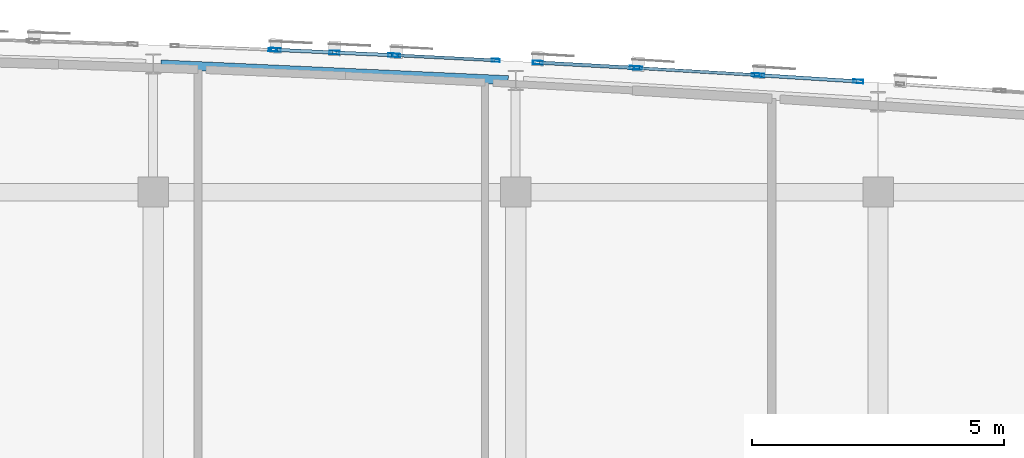
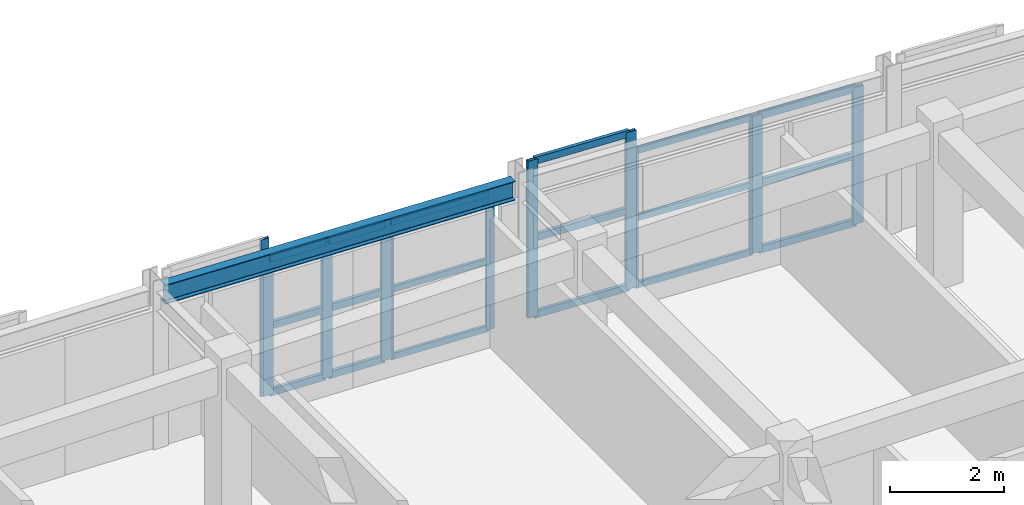
# One storey, part 21 of 51: 30 members, 1 beam, 6 elements without a shape of their own.
"""IFC4 building model written with IfcOpenShell, lengths in metres."""

from ifc_helpers import new_model, si_unit, direction, frame, origin, origin_2d, place, context, subcontext, project, spatial, hollow_rectangle, i_section, extrude, material, layer, layer_set, material_profile, profile_set, type_object, element, aggregate, save


model = new_model("IFC4")

# Units and contexts
model_context = context("Model", 3, precision=1e-05, world=origin(), true_north=direction((0.0, 1.0)))
body_context = subcontext(model_context, "Body", "Model", "MODEL_VIEW")
ifc_project = project(units=[si_unit("LENGTHUNIT", "METRE"), si_unit("AREAUNIT", "SQUARE_METRE"), si_unit("VOLUMEUNIT", "CUBIC_METRE"), si_unit("PLANEANGLEUNIT", "RADIAN"), si_unit("MASSUNIT", "GRAM", prefix="KILO")], contexts=[model_context])

# Site, building, storey
site_placement = place(None, origin())
site = spatial("IfcSite", under=ifc_project, at=site_placement, CompositionType="ELEMENT")
building_placement = place(site_placement, origin())
building = spatial("IfcBuilding", under=site, at=building_placement, Name="Carrowvane Square Congress Hotel", CompositionType="ELEMENT")
storey_placement = place(building_placement, frame((0.0, 0.0, 30.0)))
storey = spatial("IfcBuildingStorey", under=building, at=storey_placement, Name="L07", CompositionType="ELEMENT", Elevation=30.0)

# Beam
ifc_material_1 = material(Name="Steel S355", Category="steel")
ifc_material_profile_1 = material_profile(ifc_material_1, i_section(OverallWidth=0.1787109375, OverallDepth=0.409423828125, WebThickness=0.0087890625, FlangeThickness=0.014404296875, FilletRadius=0.01025390625, at=origin_2d()), Name="UKB 406x178x67")
ifc_profile_set_1 = profile_set([ifc_material_profile_1], Name="Steel S355")
beam_type = type_object("IfcBeamType", Name="BM-ST-UKB406", PredefinedType="BEAM", material=ifc_profile_set_1)
beam_placement = place(storey_placement, frame((112.5498046875, 115.937255859375, 3.1552734375), z_axis=(0.998974507316, -0.045276193882, 0.0), x_axis=(0.045276193882, 0.998974507316, 0.0)))
element("IfcBeam", 1, at=beam_placement, inside=storey, type_object=beam_type, Name="L08 curved north spandrel", PredefinedType="BEAM", context=body_context, shape_type="SweptSolid", body=[
    extrude(i_section(OverallWidth=0.1787109375, OverallDepth=0.409423828125, WebThickness=0.0087890625, FlangeThickness=0.014404296875, FilletRadius=0.01025390625, at=origin_2d()), origin(), (0.0, 0.0, 1.0), 6.907470703125),
])

# Curtain wall, member
ifc_material_2 = material(Name="Anodised aluminium", Category="aluminium")
ifc_layer_1 = layer(ifc_material_2, 0.23388671875)
ifc_layer_set_1 = layer_set([ifc_layer_1], Name="Anodised aluminium")
curtain_wall_type_1 = type_object("IfcCurtainWallType", Name="CW-SYS-7", PredefinedType="NOTDEFINED", material=ifc_layer_set_1)
curtain_wall_1_placement = place(storey_placement, origin())
curtain_wall_1 = element("IfcCurtainWall", 2, at=curtain_wall_1_placement, inside=storey, type_object=curtain_wall_type_1, Name="L07 unitised curtain wall 438", PredefinedType="NOTDEFINED")
ifc_material_3 = material(Name="Anodised aluminium", Category="aluminium")
ifc_material_profile_2 = material_profile(ifc_material_3, hollow_rectangle(XDim=0.06005859375, YDim=0.159912109375, WallThickness=0.00390625, at=origin_2d()), Name="CW-ML 60x160x4")
ifc_profile_set_2 = profile_set([ifc_material_profile_2], Name="Anodised aluminium")
member_type_1 = type_object("IfcMemberType", Name="CW-MUL-1", PredefinedType="MULLION", material=ifc_profile_set_2)
member_1_placement = place(storey_placement, frame((114.77001953125, 116.228759765625, 0.0), z_axis=(0.0, 0.0, 1.0), x_axis=(0.040130957403, 0.999194428656, 0.0)))
member_1 = element("IfcMember", 3, at=member_1_placement, type_object=member_type_1, Name="CW-7 mullion 2", PredefinedType="MULLION", context=body_context, shape_type="SweptSolid", body=[
    extrude(hollow_rectangle(XDim=0.06005859375, YDim=0.159912109375, WallThickness=0.00390625, at=origin_2d()), origin(), (0.0, 0.0, 1.0), 3.360107421875),
])
aggregate(curtain_wall_1, [member_1])

# Curtain wall, members
ifc_material_4 = material(Name="Anodised aluminium", Category="aluminium")
ifc_layer_2 = layer(ifc_material_4, 0.162109375)
ifc_layer_set_2 = layer_set([ifc_layer_2], Name="Anodised aluminium")
curtain_wall_type_2 = type_object("IfcCurtainWallType", Name="CW-SYS-1", PredefinedType="NOTDEFINED", material=ifc_layer_set_2)
curtain_wall_2_placement = place(storey_placement, origin())
curtain_wall_2 = element("IfcCurtainWall", 4, at=curtain_wall_2_placement, inside=storey, type_object=curtain_wall_type_2, Name="L07 unitised curtain wall 440", PredefinedType="NOTDEFINED")
member_2_placement = place(storey_placement, frame((117.22998046875, 116.116943359375, 0.0), z_axis=(0.0, 0.0, 1.0), x_axis=(0.050323791596, 0.998732955299, 0.0)))
member_2 = element("IfcMember", 5, at=member_2_placement, type_object=member_type_1, Name="CW-1 mullion 1", PredefinedType="MULLION", context=body_context, shape_type="SweptSolid", body=[
    extrude(hollow_rectangle(XDim=0.06005859375, YDim=0.159912109375, WallThickness=0.00390625, at=origin_2d()), origin(), (0.0, 0.0, 1.0), 2.935546875),
])
member_3_placement = place(storey_placement, frame((119.20556640625, 116.017578125, 0.0), z_axis=(0.0, 0.0, 1.0), x_axis=(0.050323791596, 0.998732955299, 0.0)))
member_3 = element("IfcMember", 6, at=member_3_placement, type_object=member_type_1, Name="CW-1 mullion 2", PredefinedType="MULLION", context=body_context, shape_type="SweptSolid", body=[
    extrude(hollow_rectangle(XDim=0.06005859375, YDim=0.159912109375, WallThickness=0.00390625, at=origin_2d()), origin(), (0.0, 0.0, 1.0), 2.935546875),
])

ifc_material_5 = material(Name="Anodised aluminium", Category="aluminium")
ifc_layer_3 = layer(ifc_material_5, 0.18603515625)
ifc_layer_set_3 = layer_set([ifc_layer_3], Name="Anodised aluminium")
curtain_wall_type_3 = type_object("IfcCurtainWallType", Name="CW-SYS-3", PredefinedType="NOTDEFINED", material=ifc_layer_set_3)
curtain_wall_3_placement = place(storey_placement, origin())
curtain_wall_3 = element("IfcCurtainWall", 7, at=curtain_wall_3_placement, inside=storey, type_object=curtain_wall_type_3, Name="L07 unitised curtain wall 442", PredefinedType="NOTDEFINED")
member_4_placement = place(storey_placement, frame((122.030029296875, 115.864013671875, 0.0), z_axis=(0.0, 0.0, 1.0), x_axis=(0.058851249486, 0.998266763162, 0.0)))
member_4 = element("IfcMember", 8, at=member_4_placement, type_object=member_type_1, Name="CW-3 mullion 1", PredefinedType="MULLION", context=body_context, shape_type="SweptSolid", body=[
    extrude(hollow_rectangle(XDim=0.06005859375, YDim=0.159912109375, WallThickness=0.00390625, at=origin_2d()), origin(), (0.0, 0.0, 1.0), 2.935546875),
])
member_5_placement = place(storey_placement, frame((124.3701171875, 115.72607421875, 0.0), z_axis=(0.0, 0.0, 1.0), x_axis=(0.058851249486, 0.998266763162, 0.0)))
member_5 = element("IfcMember", 9, at=member_5_placement, type_object=member_type_1, Name="CW-3 mullion 2", PredefinedType="MULLION", context=body_context, shape_type="SweptSolid", body=[
    extrude(hollow_rectangle(XDim=0.06005859375, YDim=0.159912109375, WallThickness=0.00390625, at=origin_2d()), origin(), (0.0, 0.0, 1.0), 2.935546875),
])

ifc_material_6 = material(Name="Anodised aluminium", Category="aluminium")
ifc_layer_4 = layer(ifc_material_6, 0.24609375)
ifc_layer_set_4 = layer_set([ifc_layer_4], Name="Anodised aluminium")
curtain_wall_type_4 = type_object("IfcCurtainWallType", Name="CW-SYS-8", PredefinedType="NOTDEFINED", material=ifc_layer_set_4)
curtain_wall_4_placement = place(storey_placement, origin())
curtain_wall_4 = element("IfcCurtainWall", 10, at=curtain_wall_4_placement, inside=storey, type_object=curtain_wall_type_4, Name="L07 unitised curtain wall 439", PredefinedType="NOTDEFINED")
ifc_material_7 = material(Name="Anodised aluminium", Category="aluminium")
ifc_material_profile_3 = material_profile(ifc_material_7, hollow_rectangle(XDim=0.070068359375, YDim=0.199951171875, WallThickness=0.0048828125, at=origin_2d()), Name="CW-ML 70x200x5")
ifc_profile_set_3 = profile_set([ifc_material_profile_3], Name="Anodised aluminium")
member_type_2 = type_object("IfcMemberType", Name="CW-MUL-2", PredefinedType="MULLION", material=ifc_profile_set_3)
member_6_placement = place(storey_placement, frame((114.8349609375, 116.22607421875, 0.0), z_axis=(0.0, 0.0, 1.0), x_axis=(0.045411059449, 0.998968385726, 0.0)))
member_6 = element("IfcMember", 11, at=member_6_placement, type_object=member_type_2, Name="CW-8 mullion 1", PredefinedType="MULLION", context=body_context, shape_type="SweptSolid", body=[
    extrude(hollow_rectangle(XDim=0.070068359375, YDim=0.199951171875, WallThickness=0.0048828125, at=origin_2d()), origin(), (0.0, 0.0, 1.0), 2.935546875),
])
member_7_placement = place(storey_placement, frame((116.0, 116.173095703125, 0.0), z_axis=(0.0, 0.0, 1.0), x_axis=(0.045411059449, 0.998968385726, 0.0)))
member_7 = element("IfcMember", 12, at=member_7_placement, type_object=member_type_2, Name="CW-8 mullion 2", PredefinedType="MULLION", context=body_context, shape_type="SweptSolid", body=[
    extrude(hollow_rectangle(XDim=0.070068359375, YDim=0.199951171875, WallThickness=0.0048828125, at=origin_2d()), origin(), (0.0, 0.0, 1.0), 2.935546875),
])
member_8_placement = place(storey_placement, frame((117.1650390625, 116.1201171875, 0.0), z_axis=(0.0, 0.0, 1.0), x_axis=(0.045411059449, 0.998968385726, 0.0)))
member_8 = element("IfcMember", 13, at=member_8_placement, type_object=member_type_2, Name="CW-8 mullion 3", PredefinedType="MULLION", context=body_context, shape_type="SweptSolid", body=[
    extrude(hollow_rectangle(XDim=0.070068359375, YDim=0.199951171875, WallThickness=0.0048828125, at=origin_2d()), origin(), (0.0, 0.0, 1.0), 2.935546875),
])

ifc_material_8 = material(Name="Anodised aluminium", Category="aluminium")
ifc_layer_5 = layer(ifc_material_8, 0.174072265625)
ifc_layer_set_5 = layer_set([ifc_layer_5], Name="Anodised aluminium")
curtain_wall_type_5 = type_object("IfcCurtainWallType", Name="CW-SYS-2", PredefinedType="NOTDEFINED", material=ifc_layer_set_5)
curtain_wall_5_placement = place(storey_placement, origin())
curtain_wall_5 = element("IfcCurtainWall", 14, at=curtain_wall_5_placement, inside=storey, type_object=curtain_wall_type_5, Name="L07 unitised curtain wall 441", PredefinedType="NOTDEFINED")
member_9_placement = place(storey_placement, frame((120.03955078125, 115.973388671875, 0.0), z_axis=(0.0, 0.0, 1.0), x_axis=(0.054815980317, 0.998496473856, 0.0)))
member_9 = element("IfcMember", 15, at=member_9_placement, type_object=member_type_2, Name="CW-2 mullion 1", PredefinedType="MULLION", context=body_context, shape_type="SweptSolid", body=[
    extrude(hollow_rectangle(XDim=0.070068359375, YDim=0.199951171875, WallThickness=0.0048828125, at=origin_2d()), origin(), (0.0, 0.0, 1.0), 3.360107421875),
])
member_10_placement = place(storey_placement, frame((121.965087890625, 115.86767578125, 0.0), z_axis=(0.0, 0.0, 1.0), x_axis=(0.054815980317, 0.998496473856, 0.0)))
member_10 = element("IfcMember", 16, at=member_10_placement, type_object=member_type_2, Name="CW-2 mullion 2", PredefinedType="MULLION", context=body_context, shape_type="SweptSolid", body=[
    extrude(hollow_rectangle(XDim=0.070068359375, YDim=0.199951171875, WallThickness=0.0048828125, at=origin_2d()), origin(), (0.0, 0.0, 1.0), 3.360107421875),
])

ifc_material_9 = material(Name="Anodised aluminium", Category="aluminium")
ifc_layer_6 = layer(ifc_material_9, 0.197998046875)
ifc_layer_set_6 = layer_set([ifc_layer_6], Name="Anodised aluminium")
curtain_wall_type_6 = type_object("IfcCurtainWallType", Name="CW-SYS-4", PredefinedType="NOTDEFINED", material=ifc_layer_set_6)
curtain_wall_6_placement = place(storey_placement, origin())
curtain_wall_6 = element("IfcCurtainWall", 17, at=curtain_wall_6_placement, inside=storey, type_object=curtain_wall_type_6, Name="L07 unitised curtain wall 443", PredefinedType="NOTDEFINED")
member_11_placement = place(storey_placement, frame((124.434814453125, 115.72216796875, 0.0), z_axis=(0.0, 0.0, 1.0), x_axis=(0.062397170272, 0.998051398046, 0.0)))
member_11 = element("IfcMember", 18, at=member_11_placement, type_object=member_type_2, Name="CW-4 mullion 1", PredefinedType="MULLION", context=body_context, shape_type="SweptSolid", body=[
    extrude(hollow_rectangle(XDim=0.070068359375, YDim=0.199951171875, WallThickness=0.0048828125, at=origin_2d()), origin(), (0.0, 0.0, 1.0), 2.935546875),
])
member_12_placement = place(storey_placement, frame((126.405029296875, 115.598876953125, 0.0), z_axis=(0.0, 0.0, 1.0), x_axis=(0.062397170272, 0.998051398046, 0.0)))
member_12 = element("IfcMember", 19, at=member_12_placement, type_object=member_type_2, Name="CW-4 mullion 2", PredefinedType="MULLION", context=body_context, shape_type="SweptSolid", body=[
    extrude(hollow_rectangle(XDim=0.070068359375, YDim=0.199951171875, WallThickness=0.0048828125, at=origin_2d()), origin(), (0.0, 0.0, 1.0), 2.935546875),
])

# Member
ifc_material_10 = material(Name="Anodised aluminium", Category="aluminium")
ifc_material_profile_4 = material_profile(ifc_material_10, hollow_rectangle(XDim=0.06005859375, YDim=0.1298828125, WallThickness=0.00390625, at=origin_2d()), Name="CW-TR 60x130x4")
ifc_profile_set_4 = profile_set([ifc_material_profile_4], Name="Anodised aluminium")
member_type_3 = type_object("IfcMemberType", Name="CW-TRN-1", PredefinedType="USERDEFINED", material=ifc_profile_set_4)
member_13_placement = place(storey_placement, frame((117.260009765625, 116.115478515625, 0.030029296875), z_axis=(0.998735138435, -0.050280446047, 0.0), x_axis=(0.050280446047, 0.998735138435, 0.0)))
member_13 = element("IfcMember", 20, at=member_13_placement, type_object=member_type_3, Name="CW-1 transom 1.1", ObjectType="TRANSOM", PredefinedType="USERDEFINED", context=body_context, shape_type="SweptSolid", body=[
    extrude(hollow_rectangle(XDim=0.06005859375, YDim=0.1298828125, WallThickness=0.00390625, at=origin_2d()), origin(), (0.0, 0.0, 1.0), 1.91796875),
])

member_14_placement = place(storey_placement, frame((117.260009765625, 116.115478515625, 1.4677734375), z_axis=(0.998735138435, -0.050280446047, 0.0), x_axis=(0.050280446047, 0.998735138435, 0.0)))
member_14 = element("IfcMember", 21, at=member_14_placement, type_object=member_type_3, Name="CW-1 transom 1.2", ObjectType="TRANSOM", PredefinedType="USERDEFINED", context=body_context, shape_type="SweptSolid", body=[
    extrude(hollow_rectangle(XDim=0.06005859375, YDim=0.1298828125, WallThickness=0.00390625, at=origin_2d()), origin(), (0.0, 0.0, 1.0), 1.91796875),
])

member_15_placement = place(storey_placement, frame((117.260009765625, 116.115478515625, 2.905517578125), z_axis=(0.998735138435, -0.050280446047, 0.0), x_axis=(0.050280446047, 0.998735138435, 0.0)))
member_15 = element("IfcMember", 22, at=member_15_placement, type_object=member_type_3, Name="CW-1 transom 1.3", ObjectType="TRANSOM", PredefinedType="USERDEFINED", context=body_context, shape_type="SweptSolid", body=[
    extrude(hollow_rectangle(XDim=0.06005859375, YDim=0.1298828125, WallThickness=0.00390625, at=origin_2d()), origin(), (0.0, 0.0, 1.0), 1.91796875),
])

aggregate(curtain_wall_2, [member_2, member_3, member_13, member_14, member_15])

member_16_placement = place(storey_placement, frame((122.059814453125, 115.8623046875, 0.030029296875), z_axis=(0.998264407893, -0.058891187232, 0.0), x_axis=(0.058891187232, 0.998264407893, 0.0)))
member_16 = element("IfcMember", 23, at=member_16_placement, type_object=member_type_3, Name="CW-3 transom 1.1", ObjectType="TRANSOM", PredefinedType="USERDEFINED", context=body_context, shape_type="SweptSolid", body=[
    extrude(hollow_rectangle(XDim=0.06005859375, YDim=0.1298828125, WallThickness=0.00390625, at=origin_2d()), origin(), (0.0, 0.0, 1.0), 2.2841796875),
])

member_17_placement = place(storey_placement, frame((122.059814453125, 115.8623046875, 1.4677734375), z_axis=(0.998264407893, -0.058891187232, 0.0), x_axis=(0.058891187232, 0.998264407893, 0.0)))
member_17 = element("IfcMember", 24, at=member_17_placement, type_object=member_type_3, Name="CW-3 transom 1.2", ObjectType="TRANSOM", PredefinedType="USERDEFINED", context=body_context, shape_type="SweptSolid", body=[
    extrude(hollow_rectangle(XDim=0.06005859375, YDim=0.1298828125, WallThickness=0.00390625, at=origin_2d()), origin(), (0.0, 0.0, 1.0), 2.2841796875),
])

member_18_placement = place(storey_placement, frame((122.059814453125, 115.8623046875, 2.905517578125), z_axis=(0.998264407893, -0.058891187232, 0.0), x_axis=(0.058891187232, 0.998264407893, 0.0)))
member_18 = element("IfcMember", 25, at=member_18_placement, type_object=member_type_3, Name="CW-3 transom 1.3", ObjectType="TRANSOM", PredefinedType="USERDEFINED", context=body_context, shape_type="SweptSolid", body=[
    extrude(hollow_rectangle(XDim=0.06005859375, YDim=0.1298828125, WallThickness=0.00390625, at=origin_2d()), origin(), (0.0, 0.0, 1.0), 2.2841796875),
])

aggregate(curtain_wall_3, [member_4, member_5, member_16, member_17, member_18])

ifc_material_11 = material(Name="Anodised aluminium", Category="aluminium")
ifc_material_profile_5 = material_profile(ifc_material_11, hollow_rectangle(XDim=0.070068359375, YDim=0.14990234375, WallThickness=0.0048828125, at=origin_2d()), Name="CW-TR 70x150x5")
ifc_profile_set_5 = profile_set([ifc_material_profile_5], Name="Anodised aluminium")
member_type_4 = type_object("IfcMemberType", Name="CW-TRN-2", PredefinedType="USERDEFINED", material=ifc_profile_set_5)
member_19_placement = place(storey_placement, frame((114.869873046875, 116.224365234375, 0.034912109375), z_axis=(0.998967621715, -0.045427863315, 0.0), x_axis=(0.045427863315, 0.998967621715, 0.0)))
member_19 = element("IfcMember", 26, at=member_19_placement, type_object=member_type_4, Name="CW-8 transom 1.1", ObjectType="TRANSOM", PredefinedType="USERDEFINED", context=body_context, shape_type="SweptSolid", body=[
    extrude(hollow_rectangle(XDim=0.070068359375, YDim=0.14990234375, WallThickness=0.0048828125, at=origin_2d()), origin(), (0.0, 0.0, 1.0), 1.096435546875),
])

member_20_placement = place(storey_placement, frame((114.869873046875, 116.224365234375, 1.4677734375), z_axis=(0.998967621715, -0.045427863315, 0.0), x_axis=(0.045427863315, 0.998967621715, 0.0)))
member_20 = element("IfcMember", 27, at=member_20_placement, type_object=member_type_4, Name="CW-8 transom 1.2", ObjectType="TRANSOM", PredefinedType="USERDEFINED", context=body_context, shape_type="SweptSolid", body=[
    extrude(hollow_rectangle(XDim=0.070068359375, YDim=0.14990234375, WallThickness=0.0048828125, at=origin_2d()), origin(), (0.0, 0.0, 1.0), 1.096435546875),
])

member_21_placement = place(storey_placement, frame((114.869873046875, 116.224365234375, 2.900634765625), z_axis=(0.998967621715, -0.045427863315, 0.0), x_axis=(0.045427863315, 0.998967621715, 0.0)))
member_21 = element("IfcMember", 28, at=member_21_placement, type_object=member_type_4, Name="CW-8 transom 1.3", ObjectType="TRANSOM", PredefinedType="USERDEFINED", context=body_context, shape_type="SweptSolid", body=[
    extrude(hollow_rectangle(XDim=0.070068359375, YDim=0.14990234375, WallThickness=0.0048828125, at=origin_2d()), origin(), (0.0, 0.0, 1.0), 1.096435546875),
])

member_22_placement = place(storey_placement, frame((116.034912109375, 116.17138671875, 0.034912109375), z_axis=(0.998967621715, -0.045427863315, 0.0), x_axis=(0.045427863315, 0.998967621715, 0.0)))
member_22 = element("IfcMember", 29, at=member_22_placement, type_object=member_type_4, Name="CW-8 transom 2.1", ObjectType="TRANSOM", PredefinedType="USERDEFINED", context=body_context, shape_type="SweptSolid", body=[
    extrude(hollow_rectangle(XDim=0.070068359375, YDim=0.14990234375, WallThickness=0.0048828125, at=origin_2d()), origin(), (0.0, 0.0, 1.0), 1.096435546875),
])

member_23_placement = place(storey_placement, frame((116.034912109375, 116.17138671875, 1.4677734375), z_axis=(0.998967621715, -0.045427863315, 0.0), x_axis=(0.045427863315, 0.998967621715, 0.0)))
member_23 = element("IfcMember", 30, at=member_23_placement, type_object=member_type_4, Name="CW-8 transom 2.2", ObjectType="TRANSOM", PredefinedType="USERDEFINED", context=body_context, shape_type="SweptSolid", body=[
    extrude(hollow_rectangle(XDim=0.070068359375, YDim=0.14990234375, WallThickness=0.0048828125, at=origin_2d()), origin(), (0.0, 0.0, 1.0), 1.096435546875),
])

member_24_placement = place(storey_placement, frame((116.034912109375, 116.17138671875, 2.900634765625), z_axis=(0.998967621715, -0.045427863315, 0.0), x_axis=(0.045427863315, 0.998967621715, 0.0)))
member_24 = element("IfcMember", 31, at=member_24_placement, type_object=member_type_4, Name="CW-8 transom 2.3", ObjectType="TRANSOM", PredefinedType="USERDEFINED", context=body_context, shape_type="SweptSolid", body=[
    extrude(hollow_rectangle(XDim=0.070068359375, YDim=0.14990234375, WallThickness=0.0048828125, at=origin_2d()), origin(), (0.0, 0.0, 1.0), 1.096435546875),
])

aggregate(curtain_wall_4, [member_6, member_7, member_8, member_19, member_20, member_21, member_22, member_23, member_24])

member_25_placement = place(storey_placement, frame((120.074462890625, 115.971435546875, 0.034912109375), z_axis=(0.998498512711, -0.054778829075, 0.0), x_axis=(0.054778829075, 0.998498512711, 0.0)))
member_25 = element("IfcMember", 32, at=member_25_placement, type_object=member_type_4, Name="CW-2 transom 1.1", ObjectType="TRANSOM", PredefinedType="USERDEFINED", context=body_context, shape_type="SweptSolid", body=[
    extrude(hollow_rectangle(XDim=0.070068359375, YDim=0.14990234375, WallThickness=0.0048828125, at=origin_2d()), origin(), (0.0, 0.0, 1.0), 1.8583984375),
])

member_26_placement = place(storey_placement, frame((120.074462890625, 115.971435546875, 1.679931640625), z_axis=(0.998498512711, -0.054778829075, 0.0), x_axis=(0.054778829075, 0.998498512711, 0.0)))
member_26 = element("IfcMember", 33, at=member_26_placement, type_object=member_type_4, Name="CW-2 transom 1.2", ObjectType="TRANSOM", PredefinedType="USERDEFINED", context=body_context, shape_type="SweptSolid", body=[
    extrude(hollow_rectangle(XDim=0.070068359375, YDim=0.14990234375, WallThickness=0.0048828125, at=origin_2d()), origin(), (0.0, 0.0, 1.0), 1.8583984375),
])

member_27_placement = place(storey_placement, frame((120.074462890625, 115.971435546875, 3.324951171875), z_axis=(0.998498512711, -0.054778829075, 0.0), x_axis=(0.054778829075, 0.998498512711, 0.0)))
member_27 = element("IfcMember", 34, at=member_27_placement, type_object=member_type_4, Name="CW-2 transom 1.3", ObjectType="TRANSOM", PredefinedType="USERDEFINED", context=body_context, shape_type="SweptSolid", body=[
    extrude(hollow_rectangle(XDim=0.070068359375, YDim=0.14990234375, WallThickness=0.0048828125, at=origin_2d()), origin(), (0.0, 0.0, 1.0), 1.8583984375),
])

aggregate(curtain_wall_5, [member_9, member_10, member_25, member_26, member_27])

member_28_placement = place(storey_placement, frame((124.469970703125, 115.719970703125, 0.034912109375), z_axis=(0.998048085199, -0.062450137157, 0.0), x_axis=(0.062450137157, 0.998048085199, 0.0)))
member_28 = element("IfcMember", 35, at=member_28_placement, type_object=member_type_4, Name="CW-4 transom 1.1", ObjectType="TRANSOM", PredefinedType="USERDEFINED", context=body_context, shape_type="SweptSolid", body=[
    extrude(hollow_rectangle(XDim=0.070068359375, YDim=0.14990234375, WallThickness=0.0048828125, at=origin_2d()), origin(), (0.0, 0.0, 1.0), 1.90380859375),
])

member_29_placement = place(storey_placement, frame((124.469970703125, 115.719970703125, 1.4677734375), z_axis=(0.998048085199, -0.062450137157, 0.0), x_axis=(0.062450137157, 0.998048085199, 0.0)))
member_29 = element("IfcMember", 36, at=member_29_placement, type_object=member_type_4, Name="CW-4 transom 1.2", ObjectType="TRANSOM", PredefinedType="USERDEFINED", context=body_context, shape_type="SweptSolid", body=[
    extrude(hollow_rectangle(XDim=0.070068359375, YDim=0.14990234375, WallThickness=0.0048828125, at=origin_2d()), origin(), (0.0, 0.0, 1.0), 1.90380859375),
])

member_30_placement = place(storey_placement, frame((124.469970703125, 115.719970703125, 2.900634765625), z_axis=(0.998048085199, -0.062450137157, 0.0), x_axis=(0.062450137157, 0.998048085199, 0.0)))
member_30 = element("IfcMember", 37, at=member_30_placement, type_object=member_type_4, Name="CW-4 transom 1.3", ObjectType="TRANSOM", PredefinedType="USERDEFINED", context=body_context, shape_type="SweptSolid", body=[
    extrude(hollow_rectangle(XDim=0.070068359375, YDim=0.14990234375, WallThickness=0.0048828125, at=origin_2d()), origin(), (0.0, 0.0, 1.0), 1.90380859375),
])

aggregate(curtain_wall_6, [member_11, member_12, member_28, member_29, member_30])

save(model, "model.ifc")
